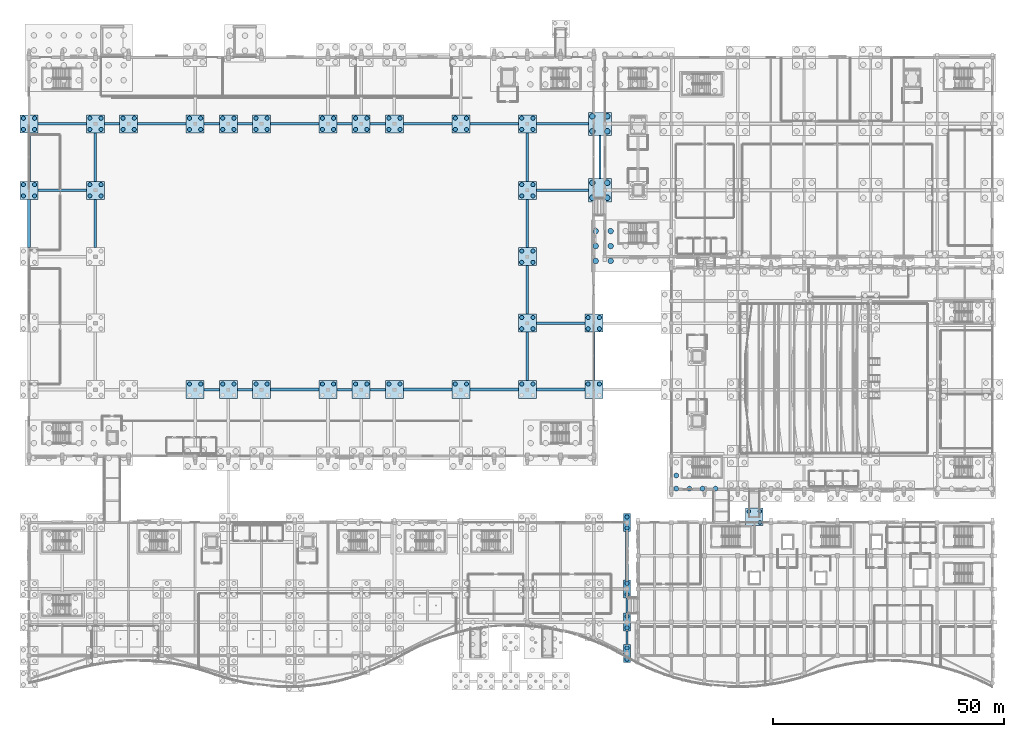
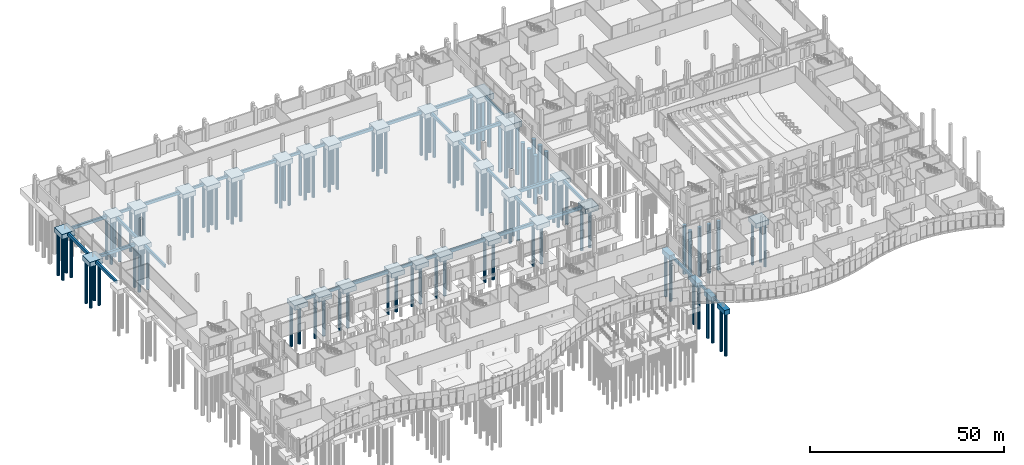
# One storey, part 4 of 192: 116 piles, 68 footings.
"""IFC4 building model written with IfcOpenShell, lengths in metres."""

from ifc_helpers import new_model, si_unit, direction, frame, origin, origin_2d, place, context, subcontext, project, spatial, rectangle, circle, extrude, material, material_profile, profile_set, type_object, element, save


model = new_model("IFC4")

# Units and contexts
model_context = context("Model", 3, precision=1e-05, world=origin(), true_north=direction((0.0, 1.0)))
body_context = subcontext(model_context, "Body", "Model", "MODEL_VIEW")
ifc_project = project(units=[si_unit("LENGTHUNIT", "METRE"), si_unit("AREAUNIT", "SQUARE_METRE"), si_unit("VOLUMEUNIT", "CUBIC_METRE"), si_unit("PLANEANGLEUNIT", "RADIAN"), si_unit("MASSUNIT", "GRAM", prefix="KILO")], contexts=[model_context])

# Site, building, storey
site_placement = place(None, origin())
site = spatial("IfcSite", under=ifc_project, at=site_placement, CompositionType="ELEMENT")
building_placement = place(site_placement, origin())
building = spatial("IfcBuilding", under=site, at=building_placement, Name="Cendralis Lancet Convention Centre", CompositionType="ELEMENT")
storey_placement = place(building_placement, origin())
storey = spatial("IfcBuildingStorey", under=building, at=storey_placement, Name="L00", CompositionType="ELEMENT", Elevation=0.0)

# Footings
ifc_material = material(Name="Concrete G35 (C35/45)", Category="concrete")
footing_type_1 = type_object("IfcFootingType", Name="STR-FT-PC04", PredefinedType="PILE_CAP", material=ifc_material)
for number, where, z_axis, x_axis, name in (
    (1, (0.0, 108.0, -3.14990234375), (0.0, 0.0, 1.0), (1.0, 0.0, 0.0), "Pile Cap PC-04 #049"),
    (2, (0.0, 122.39990234375, -3.14990234375), (0.0, 0.0, 1.0), (1.0, 0.0, 0.0), "Pile Cap PC-04 #050"),
    (3, (14.39990234375, 108.0, -3.14990234375), (0.0, 0.0, 1.0), (1.0, 0.0, 0.0), "Pile Cap PC-04 #062"),
    (4, (14.39990234375, 122.39990234375, -3.14990234375), (0.0, 0.0, 1.0), (1.0, 0.0, 0.0), "Pile Cap PC-04 #063"),
    (5, (21.60009765625, 122.39990234375, -3.14990234375), (0.0, 0.0, 1.0), (1.0, 0.0, 0.0), "Pile Cap PC-04 #065"),
    (6, (36.0, 64.800048828125, -3.14990234375), (0.0, 0.0, 1.0), (1.0, 0.0, 0.0), "Pile Cap PC-04 #071"),
    (7, (36.0, 122.39990234375, -3.14990234375), (0.0, 0.0, 1.0), (1.0, 0.0, 0.0), "Pile Cap PC-04 #072"),
    (8, (43.199951171875, 64.800048828125, -3.14990234375), (0.0, 0.0, 1.0), (1.0, 0.0, 0.0), "Pile Cap PC-04 #081"),
    (9, (43.199951171875, 122.39990234375, -3.14990234375), (0.0, 0.0, 1.0), (1.0, 0.0, 0.0), "Pile Cap PC-04 #082"),
    (10, (50.39990234375, 64.800048828125, -3.14990234375), (0.0, 0.0, 1.0), (1.0, 0.0, 0.0), "Pile Cap PC-04 #085"),
    (11, (50.39990234375, 122.39990234375, -3.14990234375), (0.0, 0.0, 1.0), (1.0, 0.0, 0.0), "Pile Cap PC-04 #086"),
    (12, (64.800048828125, 64.800048828125, -3.14990234375), (0.0, 0.0, 1.0), (1.0, 0.0, 0.0), "Pile Cap PC-04 #094"),
    (13, (64.800048828125, 122.39990234375, -3.14990234375), (0.0, 0.0, 1.0), (1.0, 0.0, 0.0), "Pile Cap PC-04 #095"),
    (14, (72.0, 64.800048828125, -3.14990234375), (0.0, 0.0, 1.0), (1.0, 0.0, 0.0), "Pile Cap PC-04 #102"),
    (15, (72.0, 122.39990234375, -3.14990234375), (0.0, 0.0, 1.0), (1.0, 0.0, 0.0), "Pile Cap PC-04 #103"),
    (16, (79.199951171875, 64.800048828125, -3.14990234375), (0.0, 0.0, 1.0), (1.0, 0.0, 0.0), "Pile Cap PC-04 #109"),
    (17, (79.199951171875, 122.39990234375, -3.14990234375), (0.0, 0.0, 1.0), (1.0, 0.0, 0.0), "Pile Cap PC-04 #110"),
    (18, (93.60009765625, 64.800048828125, -3.14990234375), (0.0, 0.0, 1.0), (1.0, 0.0, 0.0), "Pile Cap PC-04 #116"),
    (19, (93.60009765625, 122.39990234375, -3.14990234375), (0.0, 0.0, 1.0), (1.0, 0.0, 0.0), "Pile Cap PC-04 #117"),
    (20, (108.0, 64.800048828125, -3.14990234375), (0.0, 0.0, 1.0), (1.0, 0.0, 0.0), "Pile Cap PC-04 #127"),
    (21, (108.0, 79.199951171875, -3.14990234375), (0.0, 0.0, 1.0), (1.0, 0.0, 0.0), "Pile Cap PC-04 #128"),
    (22, (108.0, 93.60009765625, -3.14990234375), (0.0, 0.0, 1.0), (1.0, 0.0, 0.0), "Pile Cap PC-04 #129"),
    (23, (108.0, 108.0, -3.14990234375), (0.0, 0.0, 1.0), (1.0, 0.0, 0.0), "Pile Cap PC-04 #130"),
    (24, (108.0, 122.39990234375, -3.14990234375), (0.0, 0.0, 1.0), (1.0, 0.0, 0.0), "Pile Cap PC-04 #131"),
    (25, (122.39990234375, 64.800048828125, -3.14990234375), (0.0, 0.0, 1.0), (1.0, 0.0, 0.0), "Pile Cap PC-04 #141"),
    (26, (122.39990234375, 79.199951171875, -3.14990234375), (0.0, 0.0, 1.0), (1.0, 0.0, 0.0), "Pile Cap PC-04 #142"),
):
    element("IfcFooting", number, at=place(storey_placement, frame(where, z_axis=z_axis, x_axis=x_axis)), inside=storey, type_object=footing_type_1, Name=name, PredefinedType="PILE_CAP", context=body_context, shape_type="SweptSolid", body=[
        extrude(rectangle(XDim=3.89990234375, YDim=3.89990234375, at=origin_2d()), origin(), (0.0, 0.0, 1.0), 1.5),
    ])
footing_type_2 = type_object("IfcFootingType", Name="STR-FT-PC16", PredefinedType="PILE_CAP", material=ifc_material)
for number, where, z_axis, x_axis, name in (
    (27, (123.711181640625, 108.0, -3.4501953125), (0.0, 0.0, 1.0), (1.0, 0.0, 0.0), "Pile Cap PC-16 #143"),
    (28, (123.711181640625, 122.39990234375, -3.4501953125), (0.0, 0.0, 1.0), (1.0, 0.0, 0.0), "Pile Cap PC-16 #144"),
):
    element("IfcFooting", number, at=place(storey_placement, frame(where, z_axis=z_axis, x_axis=x_axis)), inside=storey, type_object=footing_type_2, Name=name, PredefinedType="PILE_CAP", context=body_context, shape_type="SweptSolid", body=[
        extrude(rectangle(XDim=5.0, YDim=5.0, at=origin_2d()), origin(), (0.0, 0.0, 1.0), 1.800048828125),
    ])
footing_type_3 = type_object("IfcFootingType", Name="STR-FT-PC20", PredefinedType="PILE_CAP", material=ifc_material)
footing_1_placement = place(storey_placement, frame((157.199951171875, 37.199951171875, -3.14990234375), z_axis=(0.0, 0.0, 1.0), x_axis=(1.0, 0.0, 0.0)))
element("IfcFooting", 29, at=footing_1_placement, inside=storey, type_object=footing_type_3, Name="Pile Cap PC-20 #171", PredefinedType="PILE_CAP", context=body_context, shape_type="SweptSolid", body=[
    extrude(rectangle(XDim=3.800048828125, YDim=3.800048828125, at=origin_2d()), origin(), (0.0, 0.0, 1.0), 1.5),
])
footing_type_4 = type_object("IfcFootingType", Name="STR-FT-PC26", PredefinedType="PILE_CAP", material=ifc_material)
for number, where, z_axis, x_axis, name in (
    (30, (129.60009765625, 7.57275390625, -3.14990234375), (0.0, 0.0, 1.0), (1.0, 0.0, 0.0), "Pile Cap PC-26 #145"),
    (31, (129.60009765625, 14.39990234375, -3.14990234375), (0.0, 0.0, 1.0), (1.0, 0.0, 0.0), "Pile Cap PC-26 #146"),
    (32, (129.60009765625, 21.60009765625, -3.14990234375), (0.0, 0.0, 1.0), (1.0, 0.0, 0.0), "Pile Cap PC-26 #147"),
    (33, (129.60009765625, 36.0, -3.14990234375), (0.0, 0.0, 1.0), (1.0, 0.0, 0.0), "Pile Cap PC-26 #148"),
):
    element("IfcFooting", number, at=place(storey_placement, frame(where, z_axis=z_axis, x_axis=x_axis)), inside=storey, type_object=footing_type_4, Name=name, PredefinedType="PILE_CAP", context=body_context, shape_type="SweptSolid", body=[
        extrude(rectangle(XDim=1.60009765625, YDim=3.89990234375, at=origin_2d()), origin(), (0.0, 0.0, 1.0), 1.5),
    ])
ifc_material_profile_1 = material_profile(ifc_material, rectangle(XDim=0.60009765625, YDim=0.949951171875, at=origin_2d()), Name="RCB 600x950")
ifc_profile_set_1 = profile_set([ifc_material_profile_1], Name="Concrete G35 (C35/45)")
footing_type_5 = type_object("IfcFootingType", Name="STR-GB-GB01", PredefinedType="FOOTING_BEAM", material=ifc_profile_set_1)
for number, where, z_axis, x_axis, name in (
    (34, (52.35009765625, 64.800048828125, -2.125), (1.0, 0.0, 0.0), (0.0, 1.0, 0.0), "Ground Tie Beam GB01 X-078"),
    (35, (81.14990234375, 64.800048828125, -2.125), (1.0, 0.0, 0.0), (0.0, 1.0, 0.0), "Ground Tie Beam GB01 X-081"),
    (36, (95.550048828125, 64.800048828125, -2.125), (1.0, 0.0, 0.0), (0.0, 1.0, 0.0), "Ground Tie Beam GB01 X-082"),
    (37, (109.949951171875, 64.800048828125, -2.125), (1.0, 0.0, 0.0), (0.0, 1.0, 0.0), "Ground Tie Beam GB01 X-083"),
    (38, (109.949951171875, 79.199951171875, -2.125), (1.0, 0.0, 0.0), (0.0, 1.0, 0.0), "Ground Tie Beam GB01 X-089"),
    (39, (1.949951171875, 108.0, -2.125), (1.0, 0.0, 0.0), (0.0, 1.0, 0.0), "Ground Tie Beam GB01 X-100"),
):
    element("IfcFooting", number, at=place(storey_placement, frame(where, z_axis=z_axis, x_axis=x_axis)), inside=storey, type_object=footing_type_5, Name=name, PredefinedType="FOOTING_BEAM", context=body_context, shape_type="SweptSolid", body=[
        extrude(rectangle(XDim=0.60009765625, YDim=0.949951171875, at=origin_2d()), origin(), (0.0, 0.0, 1.0), 10.5),
    ])
footing_2_placement = place(storey_placement, frame((109.949951171875, 108.0, -2.125), z_axis=(1.0, 0.0, 0.0), x_axis=(0.0, 1.0, 0.0)))
element("IfcFooting", 40, at=footing_2_placement, inside=storey, type_object=footing_type_5, Name="Ground Tie Beam GB01 X-101", PredefinedType="FOOTING_BEAM", context=body_context, shape_type="SweptSolid", body=[
    extrude(rectangle(XDim=0.60009765625, YDim=0.949951171875, at=origin_2d()), origin(), (0.0, 0.0, 1.0), 11.26123046875),
])
for number, where, z_axis, x_axis, name in (
    (41, (1.949951171875, 122.39990234375, -2.125), (1.0, 0.0, 0.0), (0.0, 1.0, 0.0), "Ground Tie Beam GB01 X-109"),
    (42, (23.550048828125, 122.39990234375, -2.125), (1.0, 0.0, 0.0), (0.0, 1.0, 0.0), "Ground Tie Beam GB01 X-111"),
    (43, (52.35009765625, 122.39990234375, -2.125), (1.0, 0.0, 0.0), (0.0, 1.0, 0.0), "Ground Tie Beam GB01 X-114"),
    (44, (81.14990234375, 122.39990234375, -2.125), (1.0, 0.0, 0.0), (0.0, 1.0, 0.0), "Ground Tie Beam GB01 X-117"),
    (45, (95.550048828125, 122.39990234375, -2.125), (1.0, 0.0, 0.0), (0.0, 1.0, 0.0), "Ground Tie Beam GB01 X-118"),
):
    element("IfcFooting", number, at=place(storey_placement, frame(where, z_axis=z_axis, x_axis=x_axis)), inside=storey, type_object=footing_type_5, Name=name, PredefinedType="FOOTING_BEAM", context=body_context, shape_type="SweptSolid", body=[
        extrude(rectangle(XDim=0.60009765625, YDim=0.949951171875, at=origin_2d()), origin(), (0.0, 0.0, 1.0), 10.5),
    ])
footing_3_placement = place(storey_placement, frame((109.949951171875, 122.39990234375, -2.125), z_axis=(1.0, 0.0, 0.0), x_axis=(0.0, 1.0, 0.0)))
element("IfcFooting", 46, at=footing_3_placement, inside=storey, type_object=footing_type_5, Name="Ground Tie Beam GB01 X-119", PredefinedType="FOOTING_BEAM", context=body_context, shape_type="SweptSolid", body=[
    extrude(rectangle(XDim=0.60009765625, YDim=0.949951171875, at=origin_2d()), origin(), (0.0, 0.0, 1.0), 11.26123046875),
])
ifc_material_profile_2 = material_profile(ifc_material, rectangle(XDim=0.550048828125, YDim=0.89990234375, at=origin_2d()), Name="RCB 550x900")
ifc_profile_set_2 = profile_set([ifc_material_profile_2], Name="Concrete G35 (C35/45)")
footing_type_6 = type_object("IfcFootingType", Name="STR-GB-GB02", PredefinedType="FOOTING_BEAM", material=ifc_profile_set_2)
for number, where, z_axis, x_axis, name in (
    (47, (0.0, 95.550048828125, -2.10009765625), (0.0, 1.0, 0.0), (-1.0, 0.0, 0.0), "Ground Tie Beam GB02 Y-160"),
    (48, (0.0, 109.949951171875, -2.10009765625), (0.0, 1.0, 0.0), (-1.0, 0.0, 0.0), "Ground Tie Beam GB02 Y-161"),
    (49, (14.39990234375, 95.550048828125, -2.10009765625), (0.0, 1.0, 0.0), (-1.0, 0.0, 0.0), "Ground Tie Beam GB02 Y-168"),
    (50, (14.39990234375, 109.949951171875, -2.10009765625), (0.0, 1.0, 0.0), (-1.0, 0.0, 0.0), "Ground Tie Beam GB02 Y-169"),
    (51, (108.0, 66.75, -2.10009765625), (0.0, 1.0, 0.0), (-1.0, 0.0, 0.0), "Ground Tie Beam GB02 Y-199"),
    (52, (108.0, 81.14990234375, -2.10009765625), (0.0, 1.0, 0.0), (-1.0, 0.0, 0.0), "Ground Tie Beam GB02 Y-200"),
    (53, (108.0, 95.550048828125, -2.10009765625), (0.0, 1.0, 0.0), (-1.0, 0.0, 0.0), "Ground Tie Beam GB02 Y-201"),
    (54, (108.0, 109.949951171875, -2.10009765625), (0.0, 1.0, 0.0), (-1.0, 0.0, 0.0), "Ground Tie Beam GB02 Y-202"),
    (55, (122.39990234375, 66.75, -2.10009765625), (0.0, 1.0, 0.0), (-1.0, 0.0, 0.0), "Ground Tie Beam GB02 Y-205"),
    (56, (129.60009765625, 23.550048828125, -2.10009765625), (0.0, 1.0, 0.0), (-1.0, 0.0, 0.0), "Ground Tie Beam GB02 Y-209"),
):
    element("IfcFooting", number, at=place(storey_placement, frame(where, z_axis=z_axis, x_axis=x_axis)), inside=storey, type_object=footing_type_6, Name=name, PredefinedType="FOOTING_BEAM", context=body_context, shape_type="SweptSolid", body=[
        extrude(rectangle(XDim=0.550048828125, YDim=0.89990234375, at=origin_2d()), origin(), (0.0, 0.0, 1.0), 10.5),
    ])
ifc_material_profile_3 = material_profile(ifc_material, rectangle(XDim=0.5, YDim=0.85009765625, at=origin_2d()), Name="RCB 500x850")
ifc_profile_set_3 = profile_set([ifc_material_profile_3], Name="Concrete G35 (C35/45)")
footing_type_7 = type_object("IfcFootingType", Name="STR-GB-GB03", PredefinedType="FOOTING_BEAM", material=ifc_profile_set_3)
for number, where, z_axis, x_axis, name in (
    (57, (37.949951171875, 64.800048828125, -2.074951171875), (1.0, 0.0, 0.0), (0.0, 1.0, 0.0), "Ground Tie Beam GB03 X-076"),
    (58, (45.14990234375, 64.800048828125, -2.074951171875), (1.0, 0.0, 0.0), (0.0, 1.0, 0.0), "Ground Tie Beam GB03 X-077"),
    (59, (66.75, 64.800048828125, -2.074951171875), (1.0, 0.0, 0.0), (0.0, 1.0, 0.0), "Ground Tie Beam GB03 X-079"),
    (60, (73.949951171875, 64.800048828125, -2.074951171875), (1.0, 0.0, 0.0), (0.0, 1.0, 0.0), "Ground Tie Beam GB03 X-080"),
):
    element("IfcFooting", number, at=place(storey_placement, frame(where, z_axis=z_axis, x_axis=x_axis)), inside=storey, type_object=footing_type_7, Name=name, PredefinedType="FOOTING_BEAM", context=body_context, shape_type="SweptSolid", body=[
        extrude(rectangle(XDim=0.5, YDim=0.85009765625, at=origin_2d()), origin(), (0.0, 0.0, 1.0), 3.300048828125),
    ])
footing_4_placement = place(storey_placement, frame((16.35009765625, 122.39990234375, -2.074951171875), z_axis=(1.0, 0.0, 0.0), x_axis=(0.0, 1.0, 0.0)))
element("IfcFooting", 61, at=footing_4_placement, inside=storey, type_object=footing_type_7, Name="Ground Tie Beam GB03 X-110", PredefinedType="FOOTING_BEAM", context=body_context, shape_type="SweptSolid", body=[
    extrude(rectangle(XDim=0.5, YDim=0.85009765625, at=origin_2d()), origin(), (0.0, 0.0, 1.0), 3.2998046875),
])
for number, where, z_axis, x_axis, name in (
    (62, (37.949951171875, 122.39990234375, -2.074951171875), (1.0, 0.0, 0.0), (0.0, 1.0, 0.0), "Ground Tie Beam GB03 X-112"),
    (63, (45.14990234375, 122.39990234375, -2.074951171875), (1.0, 0.0, 0.0), (0.0, 1.0, 0.0), "Ground Tie Beam GB03 X-113"),
    (64, (66.75, 122.39990234375, -2.074951171875), (1.0, 0.0, 0.0), (0.0, 1.0, 0.0), "Ground Tie Beam GB03 X-115"),
    (65, (73.949951171875, 122.39990234375, -2.074951171875), (1.0, 0.0, 0.0), (0.0, 1.0, 0.0), "Ground Tie Beam GB03 X-116"),
):
    element("IfcFooting", number, at=place(storey_placement, frame(where, z_axis=z_axis, x_axis=x_axis)), inside=storey, type_object=footing_type_7, Name=name, PredefinedType="FOOTING_BEAM", context=body_context, shape_type="SweptSolid", body=[
        extrude(rectangle(XDim=0.5, YDim=0.85009765625, at=origin_2d()), origin(), (0.0, 0.0, 1.0), 3.300048828125),
    ])
ifc_material_profile_4 = material_profile(ifc_material, rectangle(XDim=0.449951171875, YDim=0.75, at=origin_2d()), Name="RCB 450x750")
ifc_profile_set_4 = profile_set([ifc_material_profile_4], Name="Concrete G35 (C35/45)")
footing_type_8 = type_object("IfcFootingType", Name="STR-GB-GB04", PredefinedType="FOOTING_BEAM", material=ifc_profile_set_4)
footing_5_placement = place(storey_placement, frame((123.711181640625, 110.5, -2.02490234375), z_axis=(0.0, 1.0, 0.0), x_axis=(-1.0, 0.0, 0.0)))
element("IfcFooting", 66, at=footing_5_placement, inside=storey, type_object=footing_type_8, Name="Ground Tie Beam GB04 Y-206", PredefinedType="FOOTING_BEAM", context=body_context, shape_type="SweptSolid", body=[
    extrude(rectangle(XDim=0.449951171875, YDim=0.75, at=origin_2d()), origin(), (0.0, 0.0, 1.0), 9.39990234375),
])
footing_6_placement = place(storey_placement, frame((129.60009765625, 9.522705078125, -2.02490234375), z_axis=(0.0, 1.0, 0.0), x_axis=(-1.0, 0.0, 0.0)))
element("IfcFooting", 67, at=footing_6_placement, inside=storey, type_object=footing_type_8, Name="Ground Tie Beam GB04 Y-207", PredefinedType="FOOTING_BEAM", context=body_context, shape_type="SweptSolid", body=[
    extrude(rectangle(XDim=0.449951171875, YDim=0.75, at=origin_2d()), origin(), (0.0, 0.0, 1.0), 2.92724609375),
])
footing_7_placement = place(storey_placement, frame((129.60009765625, 16.35009765625, -2.02490234375), z_axis=(0.0, 1.0, 0.0), x_axis=(-1.0, 0.0, 0.0)))
element("IfcFooting", 68, at=footing_7_placement, inside=storey, type_object=footing_type_8, Name="Ground Tie Beam GB04 Y-208", PredefinedType="FOOTING_BEAM", context=body_context, shape_type="SweptSolid", body=[
    extrude(rectangle(XDim=0.449951171875, YDim=0.75, at=origin_2d()), origin(), (0.0, 0.0, 1.0), 3.2998046875),
])

# Piles
ifc_material_profile_5 = material_profile(ifc_material, circle(Radius=0.52490234375, at=origin_2d()), Name="BORED PILE D1050")
ifc_profile_set_5 = profile_set([ifc_material_profile_5], Name="Concrete G35 (C35/45)")
pile_type_1 = type_object("IfcPileType", Name="STR-PL-P1050", PredefinedType="BORED", material=ifc_profile_set_5)
for number, where, z_axis, x_axis, name in (
    (69, (140.264892578125, 43.342529296875, -3.14990234375), (0.0, 0.0, -1.0), (1.0, 0.0, 0.0), "Bored Pile P-1050 FT2-PC-29-157-P1"),
    (70, (140.264892578125, 46.1826171875, -3.14990234375), (0.0, 0.0, -1.0), (1.0, 0.0, 0.0), "Bored Pile P-1050 FT2-PC-29-157-P2"),
    (71, (143.10498046875, 43.342529296875, -3.14990234375), (0.0, 0.0, -1.0), (1.0, 0.0, 0.0), "Bored Pile P-1050 FT2-PC-29-157-P4"),
    (72, (145.945068359375, 43.342529296875, -3.14990234375), (0.0, 0.0, -1.0), (1.0, 0.0, 0.0), "Bored Pile P-1050 FT2-PC-29-157-P7"),
    (73, (148.784912109375, 43.342529296875, -3.14990234375), (0.0, 0.0, -1.0), (1.0, 0.0, 0.0), "Bored Pile P-1050 FT2-PC-29-157-P10"),
):
    element("IfcPile", number, at=place(storey_placement, frame(where, z_axis=z_axis, x_axis=x_axis)), inside=storey, type_object=pile_type_1, Name=name, PredefinedType="BORED", context=body_context, shape_type="SweptSolid", body=[
        extrude(circle(Radius=0.52490234375, at=origin_2d()), origin(), (0.0, 0.0, 1.0), 15.35009765625),
    ])
ifc_material_profile_6 = material_profile(ifc_material, circle(Radius=0.60009765625, at=origin_2d()), Name="BORED PILE D1200")
ifc_profile_set_6 = profile_set([ifc_material_profile_6], Name="Concrete G35 (C35/45)")
pile_type_2 = type_object("IfcPileType", Name="STR-PL-P1200", PredefinedType="BORED", material=ifc_profile_set_6)
for number, where, z_axis, x_axis, name in (
    (74, (122.091064453125, 106.3798828125, -3.300048828125), (0.0, 0.0, -1.0), (1.0, 0.0, 0.0), "Bored Pile P-1200 FT2-PC-16-143-P1"),
    (75, (122.091064453125, 109.6201171875, -3.300048828125), (0.0, 0.0, -1.0), (1.0, 0.0, 0.0), "Bored Pile P-1200 FT2-PC-16-143-P2"),
    (76, (125.3310546875, 106.3798828125, -3.300048828125), (0.0, 0.0, -1.0), (1.0, 0.0, 0.0), "Bored Pile P-1200 FT2-PC-16-143-P3"),
    (77, (125.3310546875, 109.6201171875, -3.300048828125), (0.0, 0.0, -1.0), (1.0, 0.0, 0.0), "Bored Pile P-1200 FT2-PC-16-143-P4"),
    (78, (122.091064453125, 120.780029296875, -3.300048828125), (0.0, 0.0, -1.0), (1.0, 0.0, 0.0), "Bored Pile P-1200 FT2-PC-16-144-P1"),
    (79, (122.091064453125, 124.02001953125, -3.300048828125), (0.0, 0.0, -1.0), (1.0, 0.0, 0.0), "Bored Pile P-1200 FT2-PC-16-144-P2"),
    (80, (125.3310546875, 120.780029296875, -3.300048828125), (0.0, 0.0, -1.0), (1.0, 0.0, 0.0), "Bored Pile P-1200 FT2-PC-16-144-P3"),
    (81, (125.3310546875, 124.02001953125, -3.300048828125), (0.0, 0.0, -1.0), (1.0, 0.0, 0.0), "Bored Pile P-1200 FT2-PC-16-144-P4"),
    (82, (122.81103515625, 92.675048828125, -3.300048828125), (0.0, 0.0, -1.0), (1.0, 0.0, 0.0), "Bored Pile P-1200 FT2-PC-27-149-P1"),
    (83, (122.81103515625, 95.9150390625, -3.300048828125), (0.0, 0.0, -1.0), (1.0, 0.0, 0.0), "Bored Pile P-1200 FT2-PC-27-149-P2"),
    (84, (122.81103515625, 99.155029296875, -3.300048828125), (0.0, 0.0, -1.0), (1.0, 0.0, 0.0), "Bored Pile P-1200 FT2-PC-27-149-P3"),
    (85, (126.051025390625, 92.675048828125, -3.300048828125), (0.0, 0.0, -1.0), (1.0, 0.0, 0.0), "Bored Pile P-1200 FT2-PC-27-149-P4"),
    (86, (126.051025390625, 95.9150390625, -3.300048828125), (0.0, 0.0, -1.0), (1.0, 0.0, 0.0), "Bored Pile P-1200 FT2-PC-27-149-P5"),
    (87, (126.051025390625, 99.155029296875, -3.300048828125), (0.0, 0.0, -1.0), (1.0, 0.0, 0.0), "Bored Pile P-1200 FT2-PC-27-149-P6"),
):
    element("IfcPile", number, at=place(storey_placement, frame(where, z_axis=z_axis, x_axis=x_axis)), inside=storey, type_object=pile_type_2, Name=name, PredefinedType="BORED", context=body_context, shape_type="SweptSolid", body=[
        extrude(circle(Radius=0.60009765625, at=origin_2d()), origin(), (0.0, 0.0, 1.0), 15.199951171875),
    ])
ifc_material_profile_7 = material_profile(ifc_material, circle(Radius=0.39990234375, at=origin_2d()), Name="BORED PILE D800")
ifc_profile_set_7 = profile_set([ifc_material_profile_7], Name="Concrete G35 (C35/45)")
pile_type_3 = type_object("IfcPileType", Name="STR-PL-P800", PredefinedType="BORED", material=ifc_profile_set_7)
for number, where, z_axis, x_axis, name in (
    (88, (156.0, 38.39990234375, -3.0), (0.0, 0.0, -1.0), (1.0, 0.0, 0.0), "Bored Pile P-800 FT2-PC-20-171-P2"),
    (89, (158.39990234375, 36.0, -3.0), (0.0, 0.0, -1.0), (1.0, 0.0, 0.0), "Bored Pile P-800 FT2-PC-20-171-P3"),
    (90, (158.39990234375, 38.39990234375, -3.0), (0.0, 0.0, -1.0), (1.0, 0.0, 0.0), "Bored Pile P-800 FT2-PC-20-171-P4"),
):
    element("IfcPile", number, at=place(storey_placement, frame(where, z_axis=z_axis, x_axis=x_axis)), inside=storey, type_object=pile_type_3, Name=name, PredefinedType="BORED", context=body_context, shape_type="SweptSolid", body=[
        extrude(circle(Radius=0.39990234375, at=origin_2d()), origin(), (0.0, 0.0, 1.0), 13.5),
    ])
ifc_material_profile_8 = material_profile(ifc_material, circle(Radius=0.449951171875, at=origin_2d()), Name="BORED PILE D900")
ifc_profile_set_8 = profile_set([ifc_material_profile_8], Name="Concrete G35 (C35/45)")
pile_type_4 = type_object("IfcPileType", Name="STR-PL-P900", PredefinedType="BORED", material=ifc_profile_set_8)
for number, where, z_axis, x_axis, name in (
    (91, (-1.215087890625, 106.784912109375, -3.0), (0.0, 0.0, -1.0), (1.0, 0.0, 0.0), "Bored Pile P-900 FT2-PC-04-049-P1"),
    (92, (-1.215087890625, 109.215087890625, -3.0), (0.0, 0.0, -1.0), (1.0, 0.0, 0.0), "Bored Pile P-900 FT2-PC-04-049-P2"),
    (93, (1.215087890625, 106.784912109375, -3.0), (0.0, 0.0, -1.0), (1.0, 0.0, 0.0), "Bored Pile P-900 FT2-PC-04-049-P3"),
    (94, (1.215087890625, 109.215087890625, -3.0), (0.0, 0.0, -1.0), (1.0, 0.0, 0.0), "Bored Pile P-900 FT2-PC-04-049-P4"),
    (95, (-1.215087890625, 121.18505859375, -3.0), (0.0, 0.0, -1.0), (1.0, 0.0, 0.0), "Bored Pile P-900 FT2-PC-04-050-P1"),
    (96, (-1.215087890625, 123.614990234375, -3.0), (0.0, 0.0, -1.0), (1.0, 0.0, 0.0), "Bored Pile P-900 FT2-PC-04-050-P2"),
    (97, (1.215087890625, 121.18505859375, -3.0), (0.0, 0.0, -1.0), (1.0, 0.0, 0.0), "Bored Pile P-900 FT2-PC-04-050-P3"),
    (98, (1.215087890625, 123.614990234375, -3.0), (0.0, 0.0, -1.0), (1.0, 0.0, 0.0), "Bored Pile P-900 FT2-PC-04-050-P4"),
    (99, (13.18505859375, 106.784912109375, -3.0), (0.0, 0.0, -1.0), (1.0, 0.0, 0.0), "Bored Pile P-900 FT2-PC-04-062-P1"),
    (100, (13.18505859375, 109.215087890625, -3.0), (0.0, 0.0, -1.0), (1.0, 0.0, 0.0), "Bored Pile P-900 FT2-PC-04-062-P2"),
    (101, (15.614990234375, 106.784912109375, -3.0), (0.0, 0.0, -1.0), (1.0, 0.0, 0.0), "Bored Pile P-900 FT2-PC-04-062-P3"),
    (102, (15.614990234375, 109.215087890625, -3.0), (0.0, 0.0, -1.0), (1.0, 0.0, 0.0), "Bored Pile P-900 FT2-PC-04-062-P4"),
    (103, (13.18505859375, 121.18505859375, -3.0), (0.0, 0.0, -1.0), (1.0, 0.0, 0.0), "Bored Pile P-900 FT2-PC-04-063-P1"),
    (104, (13.18505859375, 123.614990234375, -3.0), (0.0, 0.0, -1.0), (1.0, 0.0, 0.0), "Bored Pile P-900 FT2-PC-04-063-P2"),
    (105, (15.614990234375, 121.18505859375, -3.0), (0.0, 0.0, -1.0), (1.0, 0.0, 0.0), "Bored Pile P-900 FT2-PC-04-063-P3"),
    (106, (15.614990234375, 123.614990234375, -3.0), (0.0, 0.0, -1.0), (1.0, 0.0, 0.0), "Bored Pile P-900 FT2-PC-04-063-P4"),
    (107, (20.385009765625, 121.18505859375, -3.0), (0.0, 0.0, -1.0), (1.0, 0.0, 0.0), "Bored Pile P-900 FT2-PC-04-065-P1"),
    (108, (20.385009765625, 123.614990234375, -3.0), (0.0, 0.0, -1.0), (1.0, 0.0, 0.0), "Bored Pile P-900 FT2-PC-04-065-P2"),
    (109, (22.81494140625, 121.18505859375, -3.0), (0.0, 0.0, -1.0), (1.0, 0.0, 0.0), "Bored Pile P-900 FT2-PC-04-065-P3"),
    (110, (22.81494140625, 123.614990234375, -3.0), (0.0, 0.0, -1.0), (1.0, 0.0, 0.0), "Bored Pile P-900 FT2-PC-04-065-P4"),
    (111, (34.784912109375, 66.014892578125, -3.0), (0.0, 0.0, -1.0), (1.0, 0.0, 0.0), "Bored Pile P-900 FT2-PC-04-071-P2"),
    (112, (37.215087890625, 66.014892578125, -3.0), (0.0, 0.0, -1.0), (1.0, 0.0, 0.0), "Bored Pile P-900 FT2-PC-04-071-P4"),
    (113, (34.784912109375, 121.18505859375, -3.0), (0.0, 0.0, -1.0), (1.0, 0.0, 0.0), "Bored Pile P-900 FT2-PC-04-072-P1"),
    (114, (34.784912109375, 123.614990234375, -3.0), (0.0, 0.0, -1.0), (1.0, 0.0, 0.0), "Bored Pile P-900 FT2-PC-04-072-P2"),
    (115, (37.215087890625, 121.18505859375, -3.0), (0.0, 0.0, -1.0), (1.0, 0.0, 0.0), "Bored Pile P-900 FT2-PC-04-072-P3"),
    (116, (37.215087890625, 123.614990234375, -3.0), (0.0, 0.0, -1.0), (1.0, 0.0, 0.0), "Bored Pile P-900 FT2-PC-04-072-P4"),
    (117, (41.985107421875, 66.014892578125, -3.0), (0.0, 0.0, -1.0), (1.0, 0.0, 0.0), "Bored Pile P-900 FT2-PC-04-081-P2"),
    (118, (44.4150390625, 66.014892578125, -3.0), (0.0, 0.0, -1.0), (1.0, 0.0, 0.0), "Bored Pile P-900 FT2-PC-04-081-P4"),
    (119, (41.985107421875, 121.18505859375, -3.0), (0.0, 0.0, -1.0), (1.0, 0.0, 0.0), "Bored Pile P-900 FT2-PC-04-082-P1"),
    (120, (41.985107421875, 123.614990234375, -3.0), (0.0, 0.0, -1.0), (1.0, 0.0, 0.0), "Bored Pile P-900 FT2-PC-04-082-P2"),
    (121, (44.4150390625, 121.18505859375, -3.0), (0.0, 0.0, -1.0), (1.0, 0.0, 0.0), "Bored Pile P-900 FT2-PC-04-082-P3"),
    (122, (44.4150390625, 123.614990234375, -3.0), (0.0, 0.0, -1.0), (1.0, 0.0, 0.0), "Bored Pile P-900 FT2-PC-04-082-P4"),
    (123, (49.18505859375, 66.014892578125, -3.0), (0.0, 0.0, -1.0), (1.0, 0.0, 0.0), "Bored Pile P-900 FT2-PC-04-085-P2"),
    (124, (51.614990234375, 66.014892578125, -3.0), (0.0, 0.0, -1.0), (1.0, 0.0, 0.0), "Bored Pile P-900 FT2-PC-04-085-P4"),
    (125, (49.18505859375, 121.18505859375, -3.0), (0.0, 0.0, -1.0), (1.0, 0.0, 0.0), "Bored Pile P-900 FT2-PC-04-086-P1"),
    (126, (49.18505859375, 123.614990234375, -3.0), (0.0, 0.0, -1.0), (1.0, 0.0, 0.0), "Bored Pile P-900 FT2-PC-04-086-P2"),
    (127, (51.614990234375, 121.18505859375, -3.0), (0.0, 0.0, -1.0), (1.0, 0.0, 0.0), "Bored Pile P-900 FT2-PC-04-086-P3"),
    (128, (51.614990234375, 123.614990234375, -3.0), (0.0, 0.0, -1.0), (1.0, 0.0, 0.0), "Bored Pile P-900 FT2-PC-04-086-P4"),
    (129, (63.5849609375, 66.014892578125, -3.0), (0.0, 0.0, -1.0), (1.0, 0.0, 0.0), "Bored Pile P-900 FT2-PC-04-094-P2"),
    (130, (66.014892578125, 66.014892578125, -3.0), (0.0, 0.0, -1.0), (1.0, 0.0, 0.0), "Bored Pile P-900 FT2-PC-04-094-P4"),
    (131, (63.5849609375, 121.18505859375, -3.0), (0.0, 0.0, -1.0), (1.0, 0.0, 0.0), "Bored Pile P-900 FT2-PC-04-095-P1"),
    (132, (63.5849609375, 123.614990234375, -3.0), (0.0, 0.0, -1.0), (1.0, 0.0, 0.0), "Bored Pile P-900 FT2-PC-04-095-P2"),
    (133, (66.014892578125, 121.18505859375, -3.0), (0.0, 0.0, -1.0), (1.0, 0.0, 0.0), "Bored Pile P-900 FT2-PC-04-095-P3"),
    (134, (66.014892578125, 123.614990234375, -3.0), (0.0, 0.0, -1.0), (1.0, 0.0, 0.0), "Bored Pile P-900 FT2-PC-04-095-P4"),
    (135, (70.784912109375, 66.014892578125, -3.0), (0.0, 0.0, -1.0), (1.0, 0.0, 0.0), "Bored Pile P-900 FT2-PC-04-102-P2"),
    (136, (73.215087890625, 66.014892578125, -3.0), (0.0, 0.0, -1.0), (1.0, 0.0, 0.0), "Bored Pile P-900 FT2-PC-04-102-P4"),
    (137, (70.784912109375, 121.18505859375, -3.0), (0.0, 0.0, -1.0), (1.0, 0.0, 0.0), "Bored Pile P-900 FT2-PC-04-103-P1"),
    (138, (70.784912109375, 123.614990234375, -3.0), (0.0, 0.0, -1.0), (1.0, 0.0, 0.0), "Bored Pile P-900 FT2-PC-04-103-P2"),
    (139, (73.215087890625, 121.18505859375, -3.0), (0.0, 0.0, -1.0), (1.0, 0.0, 0.0), "Bored Pile P-900 FT2-PC-04-103-P3"),
    (140, (73.215087890625, 123.614990234375, -3.0), (0.0, 0.0, -1.0), (1.0, 0.0, 0.0), "Bored Pile P-900 FT2-PC-04-103-P4"),
    (141, (77.985107421875, 66.014892578125, -3.0), (0.0, 0.0, -1.0), (1.0, 0.0, 0.0), "Bored Pile P-900 FT2-PC-04-109-P2"),
    (142, (80.4150390625, 66.014892578125, -3.0), (0.0, 0.0, -1.0), (1.0, 0.0, 0.0), "Bored Pile P-900 FT2-PC-04-109-P4"),
    (143, (77.985107421875, 121.18505859375, -3.0), (0.0, 0.0, -1.0), (1.0, 0.0, 0.0), "Bored Pile P-900 FT2-PC-04-110-P1"),
    (144, (77.985107421875, 123.614990234375, -3.0), (0.0, 0.0, -1.0), (1.0, 0.0, 0.0), "Bored Pile P-900 FT2-PC-04-110-P2"),
    (145, (80.4150390625, 121.18505859375, -3.0), (0.0, 0.0, -1.0), (1.0, 0.0, 0.0), "Bored Pile P-900 FT2-PC-04-110-P3"),
    (146, (80.4150390625, 123.614990234375, -3.0), (0.0, 0.0, -1.0), (1.0, 0.0, 0.0), "Bored Pile P-900 FT2-PC-04-110-P4"),
    (147, (92.385009765625, 66.014892578125, -3.0), (0.0, 0.0, -1.0), (1.0, 0.0, 0.0), "Bored Pile P-900 FT2-PC-04-116-P2"),
    (148, (94.81494140625, 66.014892578125, -3.0), (0.0, 0.0, -1.0), (1.0, 0.0, 0.0), "Bored Pile P-900 FT2-PC-04-116-P4"),
    (149, (92.385009765625, 121.18505859375, -3.0), (0.0, 0.0, -1.0), (1.0, 0.0, 0.0), "Bored Pile P-900 FT2-PC-04-117-P1"),
    (150, (92.385009765625, 123.614990234375, -3.0), (0.0, 0.0, -1.0), (1.0, 0.0, 0.0), "Bored Pile P-900 FT2-PC-04-117-P2"),
    (151, (94.81494140625, 121.18505859375, -3.0), (0.0, 0.0, -1.0), (1.0, 0.0, 0.0), "Bored Pile P-900 FT2-PC-04-117-P3"),
    (152, (94.81494140625, 123.614990234375, -3.0), (0.0, 0.0, -1.0), (1.0, 0.0, 0.0), "Bored Pile P-900 FT2-PC-04-117-P4"),
    (153, (106.784912109375, 66.014892578125, -3.0), (0.0, 0.0, -1.0), (1.0, 0.0, 0.0), "Bored Pile P-900 FT2-PC-04-127-P2"),
    (154, (109.215087890625, 66.014892578125, -3.0), (0.0, 0.0, -1.0), (1.0, 0.0, 0.0), "Bored Pile P-900 FT2-PC-04-127-P4"),
    (155, (106.784912109375, 77.985107421875, -3.0), (0.0, 0.0, -1.0), (1.0, 0.0, 0.0), "Bored Pile P-900 FT2-PC-04-128-P1"),
    (156, (106.784912109375, 80.4150390625, -3.0), (0.0, 0.0, -1.0), (1.0, 0.0, 0.0), "Bored Pile P-900 FT2-PC-04-128-P2"),
    (157, (109.215087890625, 77.985107421875, -3.0), (0.0, 0.0, -1.0), (1.0, 0.0, 0.0), "Bored Pile P-900 FT2-PC-04-128-P3"),
    (158, (109.215087890625, 80.4150390625, -3.0), (0.0, 0.0, -1.0), (1.0, 0.0, 0.0), "Bored Pile P-900 FT2-PC-04-128-P4"),
    (159, (106.784912109375, 92.385009765625, -3.0), (0.0, 0.0, -1.0), (1.0, 0.0, 0.0), "Bored Pile P-900 FT2-PC-04-129-P1"),
    (160, (106.784912109375, 94.81494140625, -3.0), (0.0, 0.0, -1.0), (1.0, 0.0, 0.0), "Bored Pile P-900 FT2-PC-04-129-P2"),
    (161, (109.215087890625, 92.385009765625, -3.0), (0.0, 0.0, -1.0), (1.0, 0.0, 0.0), "Bored Pile P-900 FT2-PC-04-129-P3"),
    (162, (109.215087890625, 94.81494140625, -3.0), (0.0, 0.0, -1.0), (1.0, 0.0, 0.0), "Bored Pile P-900 FT2-PC-04-129-P4"),
    (163, (106.784912109375, 106.784912109375, -3.0), (0.0, 0.0, -1.0), (1.0, 0.0, 0.0), "Bored Pile P-900 FT2-PC-04-130-P1"),
    (164, (106.784912109375, 109.215087890625, -3.0), (0.0, 0.0, -1.0), (1.0, 0.0, 0.0), "Bored Pile P-900 FT2-PC-04-130-P2"),
    (165, (109.215087890625, 106.784912109375, -3.0), (0.0, 0.0, -1.0), (1.0, 0.0, 0.0), "Bored Pile P-900 FT2-PC-04-130-P3"),
    (166, (109.215087890625, 109.215087890625, -3.0), (0.0, 0.0, -1.0), (1.0, 0.0, 0.0), "Bored Pile P-900 FT2-PC-04-130-P4"),
    (167, (106.784912109375, 121.18505859375, -3.0), (0.0, 0.0, -1.0), (1.0, 0.0, 0.0), "Bored Pile P-900 FT2-PC-04-131-P1"),
    (168, (106.784912109375, 123.614990234375, -3.0), (0.0, 0.0, -1.0), (1.0, 0.0, 0.0), "Bored Pile P-900 FT2-PC-04-131-P2"),
    (169, (109.215087890625, 121.18505859375, -3.0), (0.0, 0.0, -1.0), (1.0, 0.0, 0.0), "Bored Pile P-900 FT2-PC-04-131-P3"),
    (170, (109.215087890625, 123.614990234375, -3.0), (0.0, 0.0, -1.0), (1.0, 0.0, 0.0), "Bored Pile P-900 FT2-PC-04-131-P4"),
    (171, (121.18505859375, 66.014892578125, -3.0), (0.0, 0.0, -1.0), (1.0, 0.0, 0.0), "Bored Pile P-900 FT2-PC-04-141-P2"),
    (172, (123.614990234375, 66.014892578125, -3.0), (0.0, 0.0, -1.0), (1.0, 0.0, 0.0), "Bored Pile P-900 FT2-PC-04-141-P4"),
    (173, (121.18505859375, 77.985107421875, -3.0), (0.0, 0.0, -1.0), (1.0, 0.0, 0.0), "Bored Pile P-900 FT2-PC-04-142-P1"),
    (174, (121.18505859375, 80.4150390625, -3.0), (0.0, 0.0, -1.0), (1.0, 0.0, 0.0), "Bored Pile P-900 FT2-PC-04-142-P2"),
    (175, (123.614990234375, 77.985107421875, -3.0), (0.0, 0.0, -1.0), (1.0, 0.0, 0.0), "Bored Pile P-900 FT2-PC-04-142-P3"),
    (176, (123.614990234375, 80.4150390625, -3.0), (0.0, 0.0, -1.0), (1.0, 0.0, 0.0), "Bored Pile P-900 FT2-PC-04-142-P4"),
    (177, (129.60009765625, 6.35791015625, -3.0), (0.0, 0.0, -1.0), (1.0, 0.0, 0.0), "Bored Pile P-900 FT2-PC-26-145-P1"),
    (178, (129.60009765625, 8.787841796875, -3.0), (0.0, 0.0, -1.0), (1.0, 0.0, 0.0), "Bored Pile P-900 FT2-PC-26-145-P2"),
    (179, (129.60009765625, 13.18505859375, -3.0), (0.0, 0.0, -1.0), (1.0, 0.0, 0.0), "Bored Pile P-900 FT2-PC-26-146-P1"),
    (180, (129.60009765625, 15.614990234375, -3.0), (0.0, 0.0, -1.0), (1.0, 0.0, 0.0), "Bored Pile P-900 FT2-PC-26-146-P2"),
    (181, (129.60009765625, 20.385009765625, -3.0), (0.0, 0.0, -1.0), (1.0, 0.0, 0.0), "Bored Pile P-900 FT2-PC-26-147-P1"),
    (182, (129.60009765625, 22.81494140625, -3.0), (0.0, 0.0, -1.0), (1.0, 0.0, 0.0), "Bored Pile P-900 FT2-PC-26-147-P2"),
    (183, (129.60009765625, 34.784912109375, -3.0), (0.0, 0.0, -1.0), (1.0, 0.0, 0.0), "Bored Pile P-900 FT2-PC-26-148-P1"),
    (184, (129.60009765625, 37.215087890625, -3.0), (0.0, 0.0, -1.0), (1.0, 0.0, 0.0), "Bored Pile P-900 FT2-PC-26-148-P2"),
):
    element("IfcPile", number, at=place(storey_placement, frame(where, z_axis=z_axis, x_axis=x_axis)), inside=storey, type_object=pile_type_4, Name=name, PredefinedType="BORED", context=body_context, shape_type="SweptSolid", body=[
        extrude(circle(Radius=0.449951171875, at=origin_2d()), origin(), (0.0, 0.0, 1.0), 13.5),
    ])

save(model, "model.ifc")
